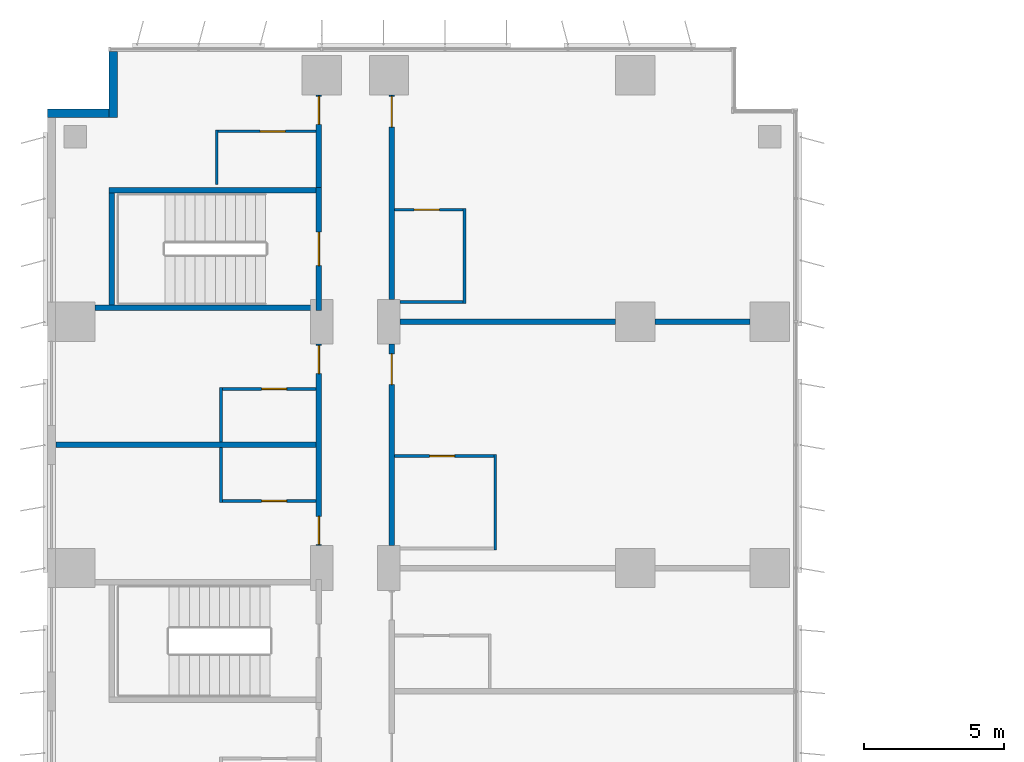
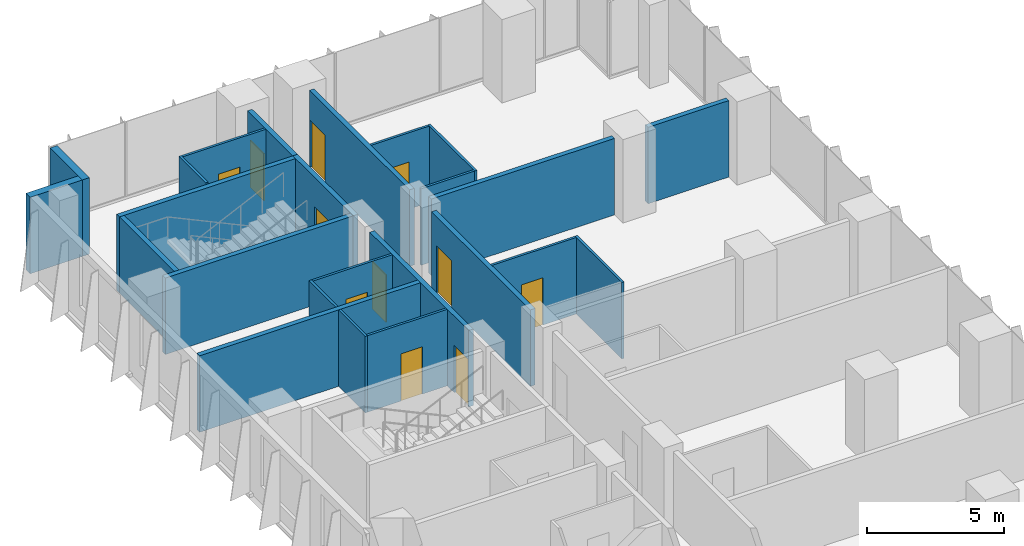
# One storey, part 19 of 24: 24 walls, 11 doors, 11 openings.
"""IFC4 building model written with IfcOpenShell, lengths in metres."""

from ifc_helpers import new_model, si_unit, direction, frame, frame_2d, origin, place, context, subcontext, project, spatial, rectangle, extrude, material, layer, layer_set, type_object, element, fill, save


model = new_model("IFC4")

# Units and contexts
model_context = context("Model", 3, precision=1e-05, world=origin(), true_north=direction((0.0, 1.0)))
body_context = subcontext(model_context, "Body", "Model", "MODEL_VIEW")
ifc_project = project(units=[si_unit("LENGTHUNIT", "METRE"), si_unit("AREAUNIT", "SQUARE_METRE"), si_unit("VOLUMEUNIT", "CUBIC_METRE"), si_unit("PLANEANGLEUNIT", "RADIAN"), si_unit("MASSUNIT", "GRAM", prefix="KILO")], contexts=[model_context])

# Site, building, storey
site_placement = place(None, origin())
site = spatial("IfcSite", under=ifc_project, at=site_placement, CompositionType="ELEMENT")
building_placement = place(site_placement, origin())
building = spatial("IfcBuilding", under=site, at=building_placement, Name="Kemantara Hotel Tower", CompositionType="ELEMENT")
storey_placement = place(building_placement, frame((0.0, 0.0, 52.5)))
storey = spatial("IfcBuildingStorey", under=building, at=storey_placement, Name="L11", CompositionType="ELEMENT", Elevation=52.5)

# Walls
ifc_material_1 = material(Name="Bronze anodised aluminium cladding on insulated steel stud wall", Category="steel")
ifc_layer_1 = layer(ifc_material_1, 0.300048828125)
ifc_layer_set_1 = layer_set([ifc_layer_1], Name="Bronze anodised aluminium cladding on insulated steel stud wall")
wall_type_1 = type_object("IfcWallType", Name="BRONZE METAL-CLAD EXTERNAL WALL 300", PredefinedType="STANDARD", material=ifc_layer_set_1)
wall_1_placement = place(storey_placement, frame((2.35009765625, 81.050048828125, 0.0), z_axis=(0.0, 0.0, 1.0), x_axis=(0.0, -1.0, 0.0)))
element("IfcWall", 1, at=wall_1_placement, inside=storey, type_object=wall_type_1, Name="EXTERNAL WALL L11 T1-R12", PredefinedType="STANDARD", context=body_context, shape_type="SweptSolid", body=[
    extrude(rectangle(XDim=2.35009765625, YDim=0.300048828125, at=frame_2d((1.175048828125, 0.0))), origin(), (0.0, 0.0, 1.0), 3.39990234375),
])
wall_2_placement = place(storey_placement, frame((2.199951171875, 78.85009765625, 0.0), z_axis=(0.0, 0.0, 1.0), x_axis=(-1.0, 0.0, 0.0)))
element("IfcWall", 2, at=wall_2_placement, inside=storey, type_object=wall_type_1, Name="EXTERNAL WALL L11 T1-R13", PredefinedType="STANDARD", context=body_context, shape_type="SweptSolid", body=[
    extrude(rectangle(XDim=2.199951171875, YDim=0.300048828125, at=frame_2d((1.10009765625, 0.0))), origin(), (0.0, 0.0, 1.0), 3.39990234375),
])

# Wall, openings, doors
ifc_material_2 = material(Name="Gypsum board partition, steel studs and mineral wool, 200 mm", Category="steel")
ifc_layer_2 = layer(ifc_material_2, 0.199951171875)
ifc_layer_set_2 = layer_set([ifc_layer_2], Name="Gypsum board partition, steel studs and mineral wool, 200 mm")
wall_type_2 = type_object("IfcWallType", Name="CORRIDOR WALL 200", PredefinedType="PARTITIONING", material=ifc_layer_set_2)
wall_3_placement = place(storey_placement, frame((9.699951171875, 63.400146484375, 0.0), z_axis=(0.0, 0.0, 1.0), x_axis=(0.0, 1.0, 0.0)))
wall_3 = element("IfcWall", 3, at=wall_3_placement, inside=storey, type_object=wall_type_2, Name="CORRIDOR WALL 200 034", PredefinedType="PARTITIONING", context=body_context, shape_type="SweptSolid", body=[
    extrude(rectangle(XDim=7.19970703125, YDim=0.199951171875, at=frame_2d((3.599853515625, 0.0))), origin(), (0.0, 0.0, 1.0), 3.39990234375),
])
opening_1_placement = place(wall_3_placement, frame((0.0498046875, 0.0, 0.0)))
opening_1 = element("IfcOpeningElement", 4, at=opening_1_placement, cuts=wall_3, Name="Opening F03-048", PredefinedType="OPENING", context=body_context, shape_type="SweptSolid", body=[
    extrude(rectangle(XDim=1.0, YDim=2.10009765625, at=frame_2d((0.5, 1.050048828125))), frame((0.0, 0.10986328125, 0.0), z_axis=(0.0, -1.0, 0.0), x_axis=(1.0, 0.0, 0.0)), (0.0, 0.0, 1.0), 0.219970703125),
])
opening_2_placement = place(wall_3_placement, frame((6.14990234375, 0.0, 0.0)))
opening_2 = element("IfcOpeningElement", 5, at=opening_2_placement, cuts=wall_3, Name="Opening F03-050", PredefinedType="OPENING", context=body_context, shape_type="SweptSolid", body=[
    extrude(rectangle(XDim=1.0, YDim=2.10009765625, at=frame_2d((0.5, 1.050048828125))), frame((0.0, 0.10986328125, 0.0), z_axis=(0.0, -1.0, 0.0), x_axis=(1.0, 0.0, 0.0)), (0.0, 0.0, 1.0), 0.219970703125),
])
ifc_material_3 = material(Name="Hardwood veneer door leaf with steel frame", Category="steel")
door_type_1 = type_object("IfcDoorType", Name="GUEST ROOM DOOR 1000 X 2100 FD30S", OperationType="NOTDEFINED", PredefinedType="DOOR", material=ifc_material_3)
door_1_placement = place(opening_1_placement, origin())
door_1 = element("IfcDoor", 6, at=door_1_placement, inside=storey, type_object=door_type_1, Name="GUEST ROOM DOOR F03-048", OperationType="SINGLE_SWING_LEFT", OverallHeight=2.10009765625, OverallWidth=1.0, PredefinedType="DOOR", context=body_context, shape_type="SweptSolid", body=[
    extrude(rectangle(XDim=1.0, YDim=2.10009765625, at=frame_2d((0.5, 1.050048828125))), frame((0.0, 0.02490234375, 0.0), z_axis=(0.0, -1.0, 0.0), x_axis=(1.0, 0.0, 0.0)), (0.0, 0.0, 1.0), 0.050048828125),
])
fill(opening_1, door_1)
door_2_placement = place(opening_2_placement, origin())
door_2 = element("IfcDoor", 7, at=door_2_placement, inside=storey, type_object=door_type_1, Name="GUEST ROOM DOOR F03-050", OperationType="SINGLE_SWING_RIGHT", OverallHeight=2.10009765625, OverallWidth=1.0, PredefinedType="DOOR", context=body_context, shape_type="SweptSolid", body=[
    extrude(rectangle(XDim=1.0, YDim=2.10009765625, at=frame_2d((0.5, 1.050048828125))), frame((0.0, 0.02490234375, 0.0), z_axis=(0.0, -1.0, 0.0), x_axis=(1.0, 0.0, 0.0)), (0.0, 0.0, 1.0), 0.050048828125),
])
fill(opening_2, door_2)

# Wall, opening, door
wall_4_placement = place(storey_placement, frame((9.699951171875, 76.199951171875, 0.0), z_axis=(0.0, 0.0, 1.0), x_axis=(0.0, 1.0, 0.0)))
wall_4 = element("IfcWall", 8, at=wall_4_placement, inside=storey, type_object=wall_type_2, Name="CORRIDOR WALL 200 035", PredefinedType="PARTITIONING", context=body_context, shape_type="SweptSolid", body=[
    extrude(rectangle(XDim=3.300048828125, YDim=0.199951171875, at=frame_2d((1.64990234375, 0.0))), origin(), (0.0, 0.0, 1.0), 3.39990234375),
])
opening_3_placement = place(wall_4_placement, frame((2.25, 0.0, 0.0)))
opening_3 = element("IfcOpeningElement", 9, at=opening_3_placement, cuts=wall_4, Name="Opening F03-052", PredefinedType="OPENING", context=body_context, shape_type="SweptSolid", body=[
    extrude(rectangle(XDim=1.0, YDim=2.10009765625, at=frame_2d((0.5, 1.050048828125))), frame((0.0, 0.10986328125, 0.0), z_axis=(0.0, -1.0, 0.0), x_axis=(1.0, 0.0, 0.0)), (0.0, 0.0, 1.0), 0.219970703125),
])
door_3_placement = place(opening_3_placement, origin())
door_3 = element("IfcDoor", 10, at=door_3_placement, inside=storey, type_object=door_type_1, Name="GUEST ROOM DOOR F03-052", OperationType="SINGLE_SWING_RIGHT", OverallHeight=2.10009765625, OverallWidth=1.0, PredefinedType="DOOR", context=body_context, shape_type="SweptSolid", body=[
    extrude(rectangle(XDim=1.0, YDim=2.10009765625, at=frame_2d((0.5, 1.050048828125))), frame((0.0, 0.02490234375, 0.0), z_axis=(0.0, -1.0, 0.0), x_axis=(1.0, 0.0, 0.0)), (0.0, 0.0, 1.0), 0.050048828125),
])
fill(opening_3, door_3)

wall_5_placement = place(storey_placement, frame((12.300048828125, 70.599853515625, 0.0), z_axis=(0.0, 0.0, 1.0), x_axis=(0.0, -1.0, 0.0)))
wall_5 = element("IfcWall", 11, at=wall_5_placement, inside=storey, type_object=wall_type_2, Name="CORRIDOR WALL 200 051", PredefinedType="PARTITIONING", context=body_context, shape_type="SweptSolid", body=[
    extrude(rectangle(XDim=7.19970703125, YDim=0.199951171875, at=frame_2d((3.599853515625, 0.0))), origin(), (0.0, 0.0, 1.0), 3.39990234375),
])
opening_4_placement = place(wall_5_placement, frame((0.349853515625, 0.0, 0.0)))
opening_4 = element("IfcOpeningElement", 12, at=opening_4_placement, cuts=wall_5, Name="Opening F03-064", PredefinedType="OPENING", context=body_context, shape_type="SweptSolid", body=[
    extrude(rectangle(XDim=1.10009765625, YDim=2.10009765625, at=frame_2d((0.550048828125, 1.050048828125))), frame((0.0, 0.10986328125, 0.0), z_axis=(0.0, -1.0, 0.0), x_axis=(1.0, 0.0, 0.0)), (0.0, 0.0, 1.0), 0.219970703125),
])
door_type_2 = type_object("IfcDoorType", Name="SUITE ENTRANCE DOOR 1100 X 2100 FD30S", OperationType="NOTDEFINED", PredefinedType="DOOR", material=ifc_material_3)
door_4_placement = place(opening_4_placement, origin())
door_4 = element("IfcDoor", 13, at=door_4_placement, inside=storey, type_object=door_type_2, Name="SUITE ENTRANCE DOOR F03-064", OperationType="SINGLE_SWING_LEFT", OverallHeight=2.10009765625, OverallWidth=1.10009765625, PredefinedType="DOOR", context=body_context, shape_type="SweptSolid", body=[
    extrude(rectangle(XDim=1.10009765625, YDim=2.10009765625, at=frame_2d((0.550048828125, 1.050048828125))), frame((0.0, 0.02490234375, 0.0), z_axis=(0.0, -1.0, 0.0), x_axis=(1.0, 0.0, 0.0)), (0.0, 0.0, 1.0), 0.050048828125),
])
fill(opening_4, door_4)

wall_6_placement = place(storey_placement, frame((12.300048828125, 79.5, 0.0), z_axis=(0.0, 0.0, 1.0), x_axis=(0.0, -1.0, 0.0)))
wall_6 = element("IfcWall", 14, at=wall_6_placement, inside=storey, type_object=wall_type_2, Name="CORRIDOR WALL 200 052", PredefinedType="PARTITIONING", context=body_context, shape_type="SweptSolid", body=[
    extrude(rectangle(XDim=7.2998046875, YDim=0.199951171875, at=frame_2d((3.64990234375, 0.0))), origin(), (0.0, 0.0, 1.0), 3.39990234375),
])
opening_5_placement = place(wall_6_placement, frame((0.0498046875, 0.0, 0.0)))
opening_5 = element("IfcOpeningElement", 15, at=opening_5_placement, cuts=wall_6, Name="Opening F03-066", PredefinedType="OPENING", context=body_context, shape_type="SweptSolid", body=[
    extrude(rectangle(XDim=1.10009765625, YDim=2.10009765625, at=frame_2d((0.550048828125, 1.050048828125))), frame((0.0, 0.10986328125, 0.0), z_axis=(0.0, -1.0, 0.0), x_axis=(1.0, 0.0, 0.0)), (0.0, 0.0, 1.0), 0.219970703125),
])
door_5_placement = place(opening_5_placement, origin())
door_5 = element("IfcDoor", 16, at=door_5_placement, inside=storey, type_object=door_type_2, Name="SUITE ENTRANCE DOOR F03-066", OperationType="SINGLE_SWING_LEFT", OverallHeight=2.10009765625, OverallWidth=1.10009765625, PredefinedType="DOOR", context=body_context, shape_type="SweptSolid", body=[
    extrude(rectangle(XDim=1.10009765625, YDim=2.10009765625, at=frame_2d((0.550048828125, 1.050048828125))), frame((0.0, 0.02490234375, 0.0), z_axis=(0.0, -1.0, 0.0), x_axis=(1.0, 0.0, 0.0)), (0.0, 0.0, 1.0), 0.050048828125),
])
fill(opening_5, door_5)

ifc_material_4 = material(Name="Concrete fc 40 MPa", Category="concrete")
ifc_layer_3 = layer(ifc_material_4, 0.199951171875)
ifc_layer_set_3 = layer_set([ifc_layer_3], Name="Concrete fc 40 MPa")
wall_type_3 = type_object("IfcWallType", Name="Concrete stair wall 200 mm", PredefinedType="SHEAR", material=ifc_layer_set_3)
wall_7_placement = place(storey_placement, frame((9.699951171875, 71.800048828125, 0.0), z_axis=(0.0, 0.0, 1.0), x_axis=(0.0, 1.0, 0.0)))
wall_7 = element("IfcWall", 17, at=wall_7_placement, inside=storey, type_object=wall_type_3, Name="Stair ST6 enclosure wall with door", PredefinedType="SHEAR", context=body_context, shape_type="SweptSolid", body=[
    extrude(rectangle(XDim=4.39990234375, YDim=0.199951171875, at=frame_2d((2.199951171875, 0.0))), origin(), (0.0, 0.0, 1.0), 3.39990234375),
])
opening_6_placement = place(wall_7_placement, frame((1.60009765625, 0.0, 0.0)))
opening_6 = element("IfcOpeningElement", 18, at=opening_6_placement, cuts=wall_7, Name="Opening ST6-C", PredefinedType="OPENING", context=body_context, shape_type="SweptSolid", body=[
    extrude(rectangle(XDim=1.199951171875, YDim=2.10009765625, at=frame_2d((0.60009765625, 1.050048828125))), frame((0.0, 0.10986328125, 0.0), z_axis=(0.0, -1.0, 0.0), x_axis=(1.0, 0.0, 0.0)), (0.0, 0.0, 1.0), 0.219970703125),
])
ifc_material_5 = material(Name="Steel fire door", Category="steel")
door_type_3 = type_object("IfcDoorType", Name="Fire door FD90 1200 x 2100", OperationType="NOTDEFINED", PredefinedType="DOOR", material=ifc_material_5)
door_6_placement = place(opening_6_placement, origin())
door_6 = element("IfcDoor", 19, at=door_6_placement, inside=storey, type_object=door_type_3, Name="Stair ST6 door", OperationType="SINGLE_SWING_RIGHT", OverallHeight=2.10009765625, OverallWidth=1.199951171875, PredefinedType="DOOR", context=body_context, shape_type="SweptSolid", body=[
    extrude(rectangle(XDim=1.199951171875, YDim=2.10009765625, at=frame_2d((0.60009765625, 1.050048828125))), frame((0.0, 0.02490234375, 0.0), z_axis=(0.0, -1.0, 0.0), x_axis=(1.0, 0.0, 0.0)), (0.0, 0.0, 1.0), 0.050048828125),
])
fill(opening_6, door_6)

# Walls
wall_8_placement = place(storey_placement, frame((2.199951171875, 76.10009765625, 0.0), z_axis=(0.0, 0.0, 1.0), x_axis=(1.0, 0.0, 0.0)))
element("IfcWall", 20, at=wall_8_placement, inside=storey, type_object=wall_type_3, Name="Stair ST6 enclosure wall N", PredefinedType="SHEAR", context=body_context, shape_type="SweptSolid", body=[
    extrude(rectangle(XDim=7.400146484375, YDim=0.199951171875, at=frame_2d((3.7001953125, 0.0))), origin(), (0.0, 0.0, 1.0), 3.39990234375),
])
wall_9_placement = place(storey_placement, frame((1.699951171875, 71.89990234375, 0.0), z_axis=(0.0, 0.0, 1.0), x_axis=(1.0, 0.0, 0.0)))
element("IfcWall", 21, at=wall_9_placement, inside=storey, type_object=wall_type_3, Name="Stair ST6 enclosure wall S", PredefinedType="SHEAR", context=body_context, shape_type="SweptSolid", body=[
    extrude(rectangle(XDim=7.900146484375, YDim=0.199951171875, at=frame_2d((3.9501953125, 0.0))), origin(), (0.0, 0.0, 1.0), 3.39990234375),
])
wall_10_placement = place(storey_placement, frame((2.300048828125, 72.0, 0.0), z_axis=(0.0, 0.0, 1.0), x_axis=(0.0, 1.0, 0.0)))
element("IfcWall", 22, at=wall_10_placement, inside=storey, type_object=wall_type_3, Name="Stair ST6 enclosure wall W", PredefinedType="SHEAR", context=body_context, shape_type="SweptSolid", body=[
    extrude(rectangle(XDim=4.0, YDim=0.199951171875, at=frame_2d((2.0, 0.0))), origin(), (0.0, 0.0, 1.0), 3.39990234375),
])
ifc_layer_4 = layer(ifc_material_2, 0.199951171875)
ifc_layer_set_4 = layer_set([ifc_layer_4], Name="Gypsum board partition, steel studs and mineral wool, 200 mm")
wall_type_4 = type_object("IfcWallType", Name="GUEST ROOM PARTY WALL 200", PredefinedType="PARTITIONING", material=ifc_layer_set_4)
wall_11_placement = place(storey_placement, frame((0.31005859375, 67.0, 0.0), z_axis=(0.0, 0.0, 1.0), x_axis=(1.0, 0.0, 0.0)))
element("IfcWall", 23, at=wall_11_placement, inside=storey, type_object=wall_type_4, Name="GUEST ROOM PARTY WALL 200 045", PredefinedType="PARTITIONING", context=body_context, shape_type="SweptSolid", body=[
    extrude(rectangle(XDim=9.2900390625, YDim=0.199951171875, at=frame_2d((4.64501953125, 0.0))), origin(), (0.0, 0.0, 1.0), 3.39990234375),
])
wall_12_placement = place(storey_placement, frame((12.60009765625, 71.39990234375, 0.0), z_axis=(0.0, 0.0, 1.0), x_axis=(1.0, 0.0, 0.0)))
element("IfcWall", 24, at=wall_12_placement, inside=storey, type_object=wall_type_4, Name="GUEST ROOM PARTY WALL 200 060", PredefinedType="PARTITIONING", context=body_context, shape_type="SweptSolid", body=[
    extrude(rectangle(XDim=7.69970703125, YDim=0.199951171875, at=frame_2d((3.849853515625, 0.0))), origin(), (0.0, 0.0, 1.0), 3.39990234375),
])
wall_13_placement = place(storey_placement, frame((21.7001953125, 71.39990234375, 0.0), z_axis=(0.0, 0.0, 1.0), x_axis=(1.0, 0.0, 0.0)))
element("IfcWall", 25, at=wall_13_placement, inside=storey, type_object=wall_type_4, Name="GUEST ROOM PARTY WALL 200 061", PredefinedType="PARTITIONING", context=body_context, shape_type="SweptSolid", body=[
    extrude(rectangle(XDim=3.399658203125, YDim=0.199951171875, at=frame_2d((1.69970703125, 0.0))), origin(), (0.0, 0.0, 1.0), 3.39990234375),
])
ifc_material_6 = material(Name="Gypsum board partition on steel studs, 100 mm", Category="steel")
ifc_layer_5 = layer(ifc_material_6, 0.10009765625)
ifc_layer_set_5 = layer_set([ifc_layer_5], Name="Gypsum board partition on steel studs, 100 mm")
wall_type_5 = type_object("IfcWallType", Name="ROOM PARTITION 100", PredefinedType="PARTITIONING", material=ifc_layer_set_5)
for number, where, z_axis, x_axis, name in (
    (26, (6.050048828125, 76.300048828125, 0.0), (0.0, 0.0, 1.0), (0.0, 1.0, 0.0), "ROOM PARTITION 100 092"),
    (27, (6.199951171875, 64.949951171875, 0.0), (0.0, 0.0, 1.0), (0.0, 1.0, 0.0), "ROOM PARTITION 100 101"),
    (28, (6.199951171875, 67.10009765625, 0.0), (0.0, 0.0, 1.0), (0.0, 1.0, 0.0), "ROOM PARTITION 100 102"),
):
    element("IfcWall", number, at=place(storey_placement, frame(where, z_axis=z_axis, x_axis=x_axis)), inside=storey, type_object=wall_type_5, Name=name, PredefinedType="PARTITIONING", context=body_context, shape_type="SweptSolid", body=[
        extrude(rectangle(XDim=1.949951171875, YDim=0.10009765625, at=frame_2d((0.97509765625, 0.0))), origin(), (0.0, 0.0, 1.0), 3.39990234375),
    ])

# Wall, opening, door
wall_14_placement = place(storey_placement, frame((6.25, 65.0, 0.0), z_axis=(0.0, 0.0, 1.0), x_axis=(1.0, 0.0, 0.0)))
wall_14 = element("IfcWall", 29, at=wall_14_placement, inside=storey, type_object=wall_type_5, Name="ROOM PARTITION 100 114", PredefinedType="PARTITIONING", context=body_context, shape_type="SweptSolid", body=[
    extrude(rectangle(XDim=3.35009765625, YDim=0.10009765625, at=frame_2d((1.675048828125, 0.0))), origin(), (0.0, 0.0, 1.0), 3.39990234375),
])
opening_7_placement = place(wall_14_placement, frame((1.39990234375, 0.0, 0.0)))
opening_7 = element("IfcOpeningElement", 30, at=opening_7_placement, cuts=wall_14, Name="Opening F03-049", PredefinedType="OPENING", context=body_context, shape_type="SweptSolid", body=[
    extrude(rectangle(XDim=0.89990234375, YDim=2.10009765625, at=frame_2d((0.449951171875, 1.050048828125))), frame((0.0, 0.06005859375, 0.0), z_axis=(0.0, -1.0, 0.0), x_axis=(1.0, 0.0, 0.0)), (0.0, 0.0, 1.0), 0.1201171875),
])
door_type_4 = type_object("IfcDoorType", Name="BATHROOM DOOR 900 X 2100", OperationType="NOTDEFINED", PredefinedType="DOOR", material=ifc_material_3)
door_7_placement = place(opening_7_placement, origin())
door_7 = element("IfcDoor", 31, at=door_7_placement, inside=storey, type_object=door_type_4, Name="BATHROOM DOOR F03-049", OperationType="SINGLE_SWING_RIGHT", OverallHeight=2.10009765625, OverallWidth=0.89990234375, PredefinedType="DOOR", context=body_context, shape_type="SweptSolid", body=[
    extrude(rectangle(XDim=0.89990234375, YDim=2.10009765625, at=frame_2d((0.449951171875, 1.050048828125))), frame((0.0, 0.02490234375, 0.0), z_axis=(0.0, -1.0, 0.0), x_axis=(1.0, 0.0, 0.0)), (0.0, 0.0, 1.0), 0.050048828125),
])
fill(opening_7, door_7)

wall_15_placement = place(storey_placement, frame((9.60009765625, 69.0, 0.0), z_axis=(0.0, 0.0, 1.0), x_axis=(-1.0, 0.0, 0.0)))
wall_15 = element("IfcWall", 32, at=wall_15_placement, inside=storey, type_object=wall_type_5, Name="ROOM PARTITION 100 115", PredefinedType="PARTITIONING", context=body_context, shape_type="SweptSolid", body=[
    extrude(rectangle(XDim=3.35009765625, YDim=0.10009765625, at=frame_2d((1.675048828125, 0.0))), origin(), (0.0, 0.0, 1.0), 3.39990234375),
])
opening_8_placement = place(wall_15_placement, frame((1.050048828125, 0.0, 0.0)))
opening_8 = element("IfcOpeningElement", 33, at=opening_8_placement, cuts=wall_15, Name="Opening F03-051", PredefinedType="OPENING", context=body_context, shape_type="SweptSolid", body=[
    extrude(rectangle(XDim=0.89990234375, YDim=2.10009765625, at=frame_2d((0.449951171875, 1.050048828125))), frame((0.0, 0.06005859375, 0.0), z_axis=(0.0, -1.0, 0.0), x_axis=(1.0, 0.0, 0.0)), (0.0, 0.0, 1.0), 0.1201171875),
])
door_8_placement = place(opening_8_placement, origin())
door_8 = element("IfcDoor", 34, at=door_8_placement, inside=storey, type_object=door_type_4, Name="BATHROOM DOOR F03-051", OperationType="SINGLE_SWING_LEFT", OverallHeight=2.10009765625, OverallWidth=0.89990234375, PredefinedType="DOOR", context=body_context, shape_type="SweptSolid", body=[
    extrude(rectangle(XDim=0.89990234375, YDim=2.10009765625, at=frame_2d((0.449951171875, 1.050048828125))), frame((0.0, 0.02490234375, 0.0), z_axis=(0.0, -1.0, 0.0), x_axis=(1.0, 0.0, 0.0)), (0.0, 0.0, 1.0), 0.050048828125),
])
fill(opening_8, door_8)

wall_16_placement = place(storey_placement, frame((9.60009765625, 78.199951171875, 0.0), z_axis=(0.0, 0.0, 1.0), x_axis=(-1.0, 0.0, 0.0)))
wall_16 = element("IfcWall", 35, at=wall_16_placement, inside=storey, type_object=wall_type_5, Name="ROOM PARTITION 100 116", PredefinedType="PARTITIONING", context=body_context, shape_type="SweptSolid", body=[
    extrude(rectangle(XDim=3.5, YDim=0.10009765625, at=frame_2d((1.75, 0.0))), origin(), (0.0, 0.0, 1.0), 3.39990234375),
])
opening_9_placement = place(wall_16_placement, frame((1.10009765625, 0.0, 0.0)))
opening_9 = element("IfcOpeningElement", 36, at=opening_9_placement, cuts=wall_16, Name="Opening F03-053", PredefinedType="OPENING", context=body_context, shape_type="SweptSolid", body=[
    extrude(rectangle(XDim=0.89990234375, YDim=2.10009765625, at=frame_2d((0.449951171875, 1.050048828125))), frame((0.0, 0.06005859375, 0.0), z_axis=(0.0, -1.0, 0.0), x_axis=(1.0, 0.0, 0.0)), (0.0, 0.0, 1.0), 0.1201171875),
])
door_9_placement = place(opening_9_placement, origin())
door_9 = element("IfcDoor", 37, at=door_9_placement, inside=storey, type_object=door_type_4, Name="BATHROOM DOOR F03-053", OperationType="SINGLE_SWING_LEFT", OverallHeight=2.10009765625, OverallWidth=0.89990234375, PredefinedType="DOOR", context=body_context, shape_type="SweptSolid", body=[
    extrude(rectangle(XDim=0.89990234375, YDim=2.10009765625, at=frame_2d((0.449951171875, 1.050048828125))), frame((0.0, 0.02490234375, 0.0), z_axis=(0.0, -1.0, 0.0), x_axis=(1.0, 0.0, 0.0)), (0.0, 0.0, 1.0), 0.050048828125),
])
fill(opening_9, door_9)

# Wall
wall_17_placement = place(storey_placement, frame((16.0, 63.25, 0.0), z_axis=(0.0, 0.0, 1.0), x_axis=(0.0, 1.0, 0.0)))
element("IfcWall", 38, at=wall_17_placement, inside=storey, type_object=wall_type_5, Name="ROOM PARTITION 100 121", PredefinedType="PARTITIONING", context=body_context, shape_type="SweptSolid", body=[
    extrude(rectangle(XDim=3.39990234375, YDim=0.10009765625, at=frame_2d((1.699951171875, 0.0))), origin(), (0.0, 0.0, 1.0), 3.39990234375),
])

# Wall, opening, door
wall_18_placement = place(storey_placement, frame((15.949951171875, 66.60009765625, 0.0), z_axis=(0.0, 0.0, 1.0), x_axis=(-1.0, 0.0, 0.0)))
wall_18 = element("IfcWall", 39, at=wall_18_placement, inside=storey, type_object=wall_type_5, Name="ROOM PARTITION 100 128", PredefinedType="PARTITIONING", context=body_context, shape_type="SweptSolid", body=[
    extrude(rectangle(XDim=3.550048828125, YDim=0.10009765625, at=frame_2d((1.77490234375, 0.0))), origin(), (0.0, 0.0, 1.0), 3.39990234375),
])
opening_10_placement = place(wall_18_placement, frame((1.39990234375, 0.0, 0.0)))
opening_10 = element("IfcOpeningElement", 40, at=opening_10_placement, cuts=wall_18, Name="Opening F03-065", PredefinedType="OPENING", context=body_context, shape_type="SweptSolid", body=[
    extrude(rectangle(XDim=0.89990234375, YDim=2.10009765625, at=frame_2d((0.449951171875, 1.050048828125))), frame((0.0, 0.06005859375, 0.0), z_axis=(0.0, -1.0, 0.0), x_axis=(1.0, 0.0, 0.0)), (0.0, 0.0, 1.0), 0.1201171875),
])
door_10_placement = place(opening_10_placement, origin())
door_10 = element("IfcDoor", 41, at=door_10_placement, inside=storey, type_object=door_type_4, Name="BATHROOM DOOR F03-065", OperationType="SINGLE_SWING_RIGHT", OverallHeight=2.10009765625, OverallWidth=0.89990234375, PredefinedType="DOOR", context=body_context, shape_type="SweptSolid", body=[
    extrude(rectangle(XDim=0.89990234375, YDim=2.10009765625, at=frame_2d((0.449951171875, 1.050048828125))), frame((0.0, 0.02490234375, 0.0), z_axis=(0.0, -1.0, 0.0), x_axis=(1.0, 0.0, 0.0)), (0.0, 0.0, 1.0), 0.050048828125),
])
fill(opening_10, door_10)

# Walls
wall_19_placement = place(storey_placement, frame((14.89990234375, 72.050048828125, 0.0), z_axis=(0.0, 0.0, 1.0), x_axis=(0.0, 1.0, 0.0)))
element("IfcWall", 42, at=wall_19_placement, inside=storey, type_object=wall_type_5, Name="ROOM PARTITION 100 129", PredefinedType="PARTITIONING", context=body_context, shape_type="SweptSolid", body=[
    extrude(rectangle(XDim=3.39990234375, YDim=0.10009765625, at=frame_2d((1.699951171875, 0.0))), origin(), (0.0, 0.0, 1.0), 3.39990234375),
])
wall_20_placement = place(storey_placement, frame((12.60009765625, 72.10009765625, 0.0), z_axis=(0.0, 0.0, 1.0), x_axis=(1.0, 0.0, 0.0)))
element("IfcWall", 43, at=wall_20_placement, inside=storey, type_object=wall_type_5, Name="ROOM PARTITION 100 130", PredefinedType="PARTITIONING", context=body_context, shape_type="SweptSolid", body=[
    extrude(rectangle(XDim=2.25, YDim=0.10009765625, at=frame_2d((1.125, 0.0))), origin(), (0.0, 0.0, 1.0), 3.39990234375),
])

# Wall, opening, door
wall_21_placement = place(storey_placement, frame((14.85009765625, 75.39990234375, 0.0), z_axis=(0.0, 0.0, 1.0), x_axis=(-1.0, 0.0, 0.0)))
wall_21 = element("IfcWall", 44, at=wall_21_placement, inside=storey, type_object=wall_type_5, Name="ROOM PARTITION 100 131", PredefinedType="PARTITIONING", context=body_context, shape_type="SweptSolid", body=[
    extrude(rectangle(XDim=2.4501953125, YDim=0.10009765625, at=frame_2d((1.22509765625, 0.0))), origin(), (0.0, 0.0, 1.0), 3.39990234375),
])
opening_11_placement = place(wall_21_placement, frame((0.85009765625, 0.0, 0.0)))
opening_11 = element("IfcOpeningElement", 45, at=opening_11_placement, cuts=wall_21, Name="Opening F03-067", PredefinedType="OPENING", context=body_context, shape_type="SweptSolid", body=[
    extrude(rectangle(XDim=0.89990234375, YDim=2.10009765625, at=frame_2d((0.449951171875, 1.050048828125))), frame((0.0, 0.06005859375, 0.0), z_axis=(0.0, -1.0, 0.0), x_axis=(1.0, 0.0, 0.0)), (0.0, 0.0, 1.0), 0.1201171875),
])
door_11_placement = place(opening_11_placement, origin())
door_11 = element("IfcDoor", 46, at=door_11_placement, inside=storey, type_object=door_type_4, Name="BATHROOM DOOR F03-067", OperationType="SINGLE_SWING_RIGHT", OverallHeight=2.10009765625, OverallWidth=0.89990234375, PredefinedType="DOOR", context=body_context, shape_type="SweptSolid", body=[
    extrude(rectangle(XDim=0.89990234375, YDim=2.10009765625, at=frame_2d((0.449951171875, 1.050048828125))), frame((0.0, 0.02490234375, 0.0), z_axis=(0.0, -1.0, 0.0), x_axis=(1.0, 0.0, 0.0)), (0.0, 0.0, 1.0), 0.050048828125),
])
fill(opening_11, door_11)

save(model, "model.ifc")
